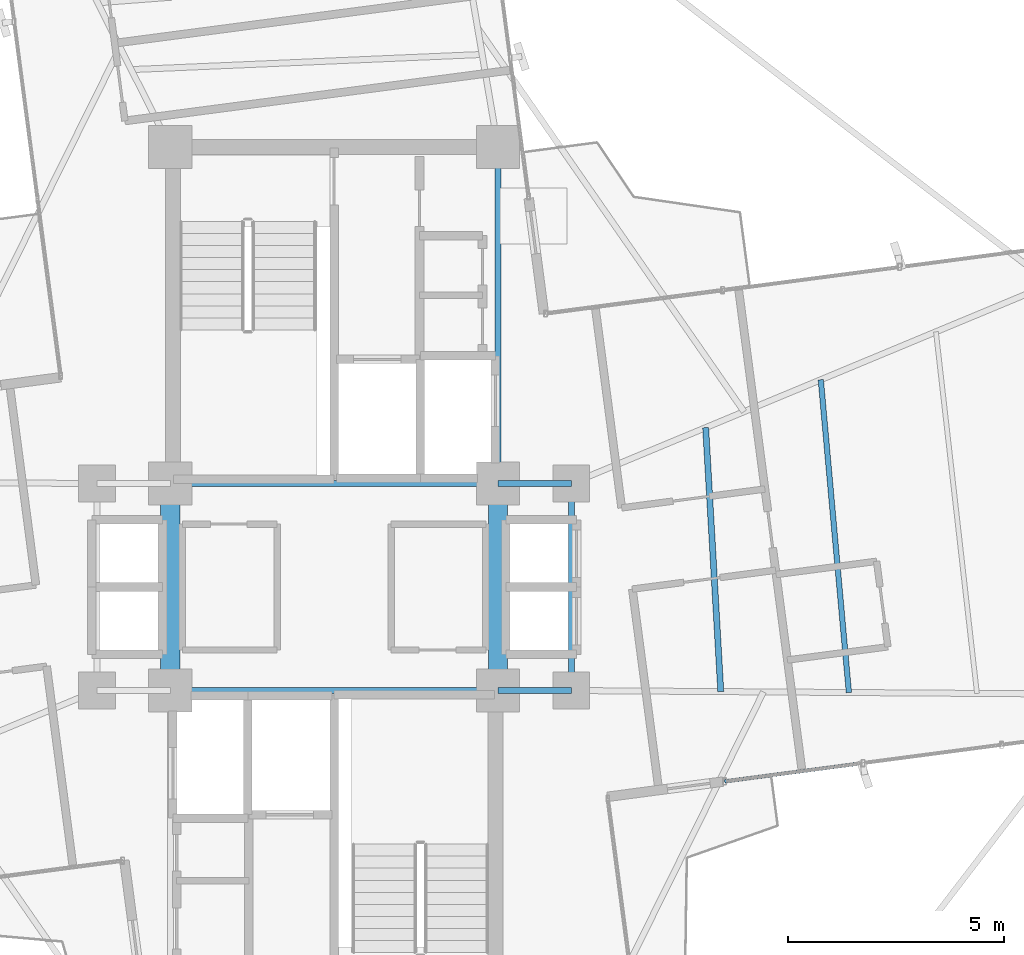
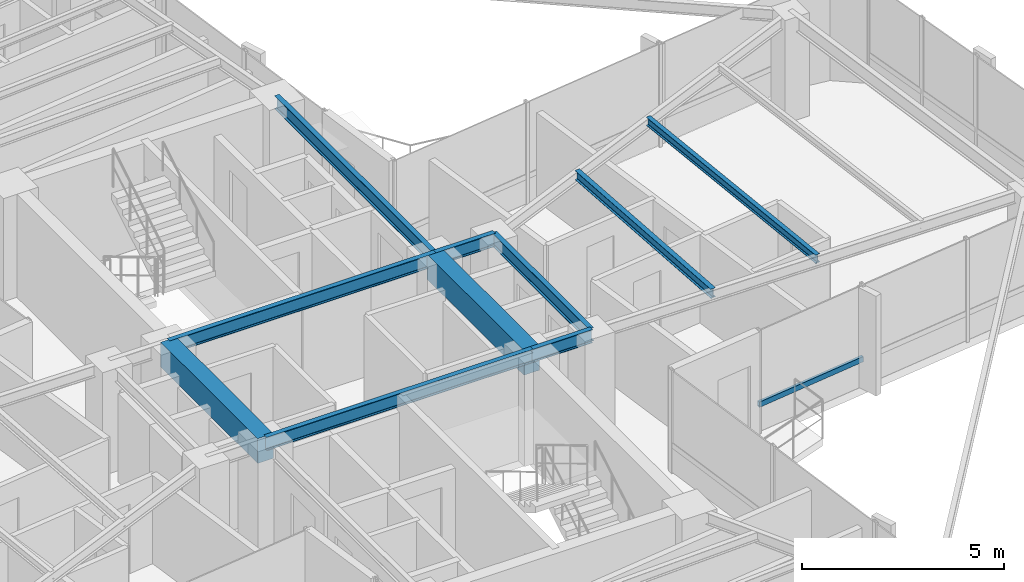
# One storey, part 9 of 21: 10 beams, 1 member, 1 element without a shape of its own.
"""IFC4 building model written with IfcOpenShell, lengths in metres."""

from ifc_helpers import new_model, si_unit, direction, frame, origin, origin_2d, place, context, subcontext, project, spatial, rectangle, hollow_rectangle, i_section, extrude, source, transform, mapped, material, material_profile, profile_set, type_object, element, aggregate, save


model = new_model("IFC4")

# Units and contexts
model_context = context("Model", 3, precision=1e-05, world=origin(), true_north=direction((0.0, 1.0)))
body_context = subcontext(model_context, "Body", "Model", "MODEL_VIEW")
ifc_project = project(units=[si_unit("LENGTHUNIT", "METRE"), si_unit("AREAUNIT", "SQUARE_METRE"), si_unit("VOLUMEUNIT", "CUBIC_METRE"), si_unit("PLANEANGLEUNIT", "RADIAN"), si_unit("MASSUNIT", "GRAM", prefix="KILO")], contexts=[model_context])

# Site, building, storey
site_placement = place(None, origin())
site = spatial("IfcSite", under=ifc_project, at=site_placement, CompositionType="ELEMENT")
building_placement = place(site_placement, origin())
building = spatial("IfcBuilding", under=site, at=building_placement, Name="Sahyath Konkavel Grand Hotel", CompositionType="ELEMENT")
storey_placement = place(building_placement, frame((0.0, 0.0, 209.85009765625)))
storey = spatial("IfcBuildingStorey", under=building, at=storey_placement, Name="L58", CompositionType="ELEMENT", Elevation=209.85009765625)

# Beams
ifc_material_1 = material(Name="Steel E350", Category="steel")
ifc_material_profile_1 = material_profile(ifc_material_1, i_section(OverallWidth=0.139892578125, OverallDepth=0.39990234375, WebThickness=0.0087890625, FlangeThickness=0.01611328125, FilletRadius=0.013916015625, at=origin_2d()), Name="ISMB 400")
ifc_profile_set_1 = profile_set([ifc_material_profile_1], Name="Steel E350")
beam_type_1 = type_object("IfcBeamType", Name="BM-ISMB400", PredefinedType="BEAM", material=ifc_profile_set_1)
shared_shape_1 = source(origin(), body_context, "Body", "SweptSolid", [
    extrude(i_section(OverallWidth=0.139892578125, OverallDepth=0.39990234375, WebThickness=0.0087890625, FlangeThickness=0.01611328125, FilletRadius=0.013916015625, at=origin_2d()), origin(), (0.0, 0.0, 1.0), 7.60009765625),
])
for number, where, z_axis, x_axis, name in (
    (1, (-3.800048828125, 2.39990234375, 2.909912109375), (1.0, 0.0, 0.0), (0.0, 1.0, 0.0), "str:bm:L58:NC-S"),
    (2, (-3.800048828125, -2.39990234375, 2.909912109375), (1.0, 0.0, 0.0), (0.0, 1.0, 0.0), "str:bm:L58:SC-N"),
):
    element("IfcBeam", number, at=place(storey_placement, frame(where, z_axis=z_axis, x_axis=x_axis)), inside=storey, type_object=beam_type_1, Name=name, PredefinedType="BEAM", context=body_context, shape_type="MappedRepresentation", body=[
        mapped(shared_shape_1, transform((0.0, 0.0, 0.0), scale=1.0)),
    ])
shared_shape_2 = source(origin(), body_context, "Body", "SweptSolid", [
    extrude(i_section(OverallWidth=0.139892578125, OverallDepth=0.39990234375, WebThickness=0.0087890625, FlangeThickness=0.01611328125, FilletRadius=0.013916015625, at=origin_2d()), origin(), (0.0, 0.0, 1.0), 7.800048828125),
])
beam_1_placement = place(storey_placement, frame((3.800048828125, 2.39990234375, 2.909912109375), z_axis=(0.0, 1.0, 0.0), x_axis=(-1.0, 0.0, 0.0)))
element("IfcBeam", 3, at=beam_1_placement, inside=storey, type_object=beam_type_1, Name="str:bm:L58:NC-E", PredefinedType="BEAM", context=body_context, shape_type="MappedRepresentation", body=[
    mapped(shared_shape_2, transform((0.0, 0.0, 0.0), scale=1.0)),
])
shared_shape_3 = source(origin(), body_context, "Body", "SweptSolid", [
    extrude(i_section(OverallWidth=0.139892578125, OverallDepth=0.39990234375, WebThickness=0.0087890625, FlangeThickness=0.01611328125, FilletRadius=0.013916015625, at=origin_2d()), origin(), (0.0, 0.0, 1.0), 1.699951171875),
])
for number, where, z_axis, x_axis, name in (
    (4, (3.800048828125, 2.39990234375, 2.909912109375), (1.0, 0.0, 0.0), (0.0, 1.0, 0.0), "str:bm:L58:HB-NE"),
    (5, (3.800048828125, -2.39990234375, 2.909912109375), (1.0, 0.0, 0.0), (0.0, 1.0, 0.0), "str:bm:L58:HB-SE"),
):
    element("IfcBeam", number, at=place(storey_placement, frame(where, z_axis=z_axis, x_axis=x_axis)), inside=storey, type_object=beam_type_1, Name=name, PredefinedType="BEAM", context=body_context, shape_type="MappedRepresentation", body=[
        mapped(shared_shape_3, transform((0.0, 0.0, 0.0), scale=1.0)),
    ])
shared_shape_4 = source(origin(), body_context, "Body", "SweptSolid", [
    extrude(i_section(OverallWidth=0.139892578125, OverallDepth=0.39990234375, WebThickness=0.0087890625, FlangeThickness=0.01611328125, FilletRadius=0.013916015625, at=origin_2d()), origin(), (0.0, 0.0, 1.0), 4.7998046875),
])
beam_2_placement = place(storey_placement, frame((5.5, -2.39990234375, 2.909912109375), z_axis=(0.0, 1.0, 0.0), x_axis=(-1.0, 0.0, 0.0)))
element("IfcBeam", 6, at=beam_2_placement, inside=storey, type_object=beam_type_1, Name="str:bm:L58:HB-E", PredefinedType="BEAM", context=body_context, shape_type="MappedRepresentation", body=[
    mapped(shared_shape_4, transform((0.0, 0.0, 0.0), scale=1.0)),
])
ifc_material_2 = material(Name="Concrete C40/50", Category="concrete")
ifc_material_profile_2 = material_profile(ifc_material_2, rectangle(XDim=0.449951171875, YDim=0.75, at=origin_2d()), Name="RC 450x750")
ifc_profile_set_2 = profile_set([ifc_material_profile_2], Name="Concrete C40/50")
beam_type_2 = type_object("IfcBeamType", Name="BM-CB450x750", PredefinedType="LINTEL", material=ifc_profile_set_2)
shared_shape_5 = source(origin(), body_context, "Body", "SweptSolid", [
    extrude(rectangle(XDim=0.449951171875, YDim=0.75, at=origin_2d()), origin(), (0.0, 0.0, 1.0), 4.7998046875),
])
for number, where, z_axis, x_axis, name in (
    (7, (-3.800048828125, -2.39990234375, 2.73486328125), (0.0, 1.0, 0.0), (-1.0, 0.0, 0.0), "L58 Split-Core Coupling Beam West"),
    (8, (3.800048828125, -2.39990234375, 2.73486328125), (0.0, 1.0, 0.0), (-1.0, 0.0, 0.0), "L58 Split-Core Coupling Beam East"),
):
    element("IfcBeam", number, at=place(storey_placement, frame(where, z_axis=z_axis, x_axis=x_axis)), inside=storey, type_object=beam_type_2, Name=name, PredefinedType="LINTEL", context=body_context, shape_type="MappedRepresentation", body=[
        mapped(shared_shape_5, transform((0.0, 0.0, 0.0), scale=1.0)),
    ])
ifc_material_profile_3 = material_profile(ifc_material_1, i_section(OverallWidth=0.139892578125, OverallDepth=0.27490234375, WebThickness=0.00634765625, FlangeThickness=0.0087890625, FilletRadius=0.012939453125, at=origin_2d()), Name="ISLB 275")
ifc_profile_set_3 = profile_set([ifc_material_profile_3], Name="Steel E350")
beam_type_3 = type_object("IfcBeamType", Name="BM-ISLB275", PredefinedType="BEAM", material=ifc_profile_set_3)
shared_shape_6 = source(origin(), body_context, "Body", "SweptSolid", [
    extrude(i_section(OverallWidth=0.139892578125, OverallDepth=0.27490234375, WebThickness=0.00634765625, FlangeThickness=0.0087890625, FilletRadius=0.012939453125, at=origin_2d()), origin(), (0.0, 0.0, 1.0), 6.130859375),
])
beam_3_placement = place(storey_placement, frame((8.9658203125, -2.424560546875, 2.972412109375), z_axis=(-0.057223299361, 0.998361404508, 0.0), x_axis=(-0.998361404508, -0.057223299361, 0.0)))
element("IfcBeam", 9, at=beam_3_placement, inside=storey, type_object=beam_type_3, Name="L58 Secondary Floor Beam E-1", PredefinedType="BEAM", context=body_context, shape_type="MappedRepresentation", body=[
    mapped(shared_shape_6, transform((0.0, 0.0, 0.0), scale=1.0)),
])
ifc_material_profile_4 = material_profile(ifc_material_1, i_section(OverallWidth=0.125, OverallDepth=0.25, WebThickness=0.0068359375, FlangeThickness=0.012451171875, FilletRadius=0.012939453125, at=origin_2d()), Name="ISMB 250")
ifc_profile_set_4 = profile_set([ifc_material_profile_4], Name="Steel E350")
beam_type_4 = type_object("IfcBeamType", Name="BM-ISMB250", PredefinedType="BEAM", material=ifc_profile_set_4)
shared_shape_7 = source(origin(), body_context, "Body", "SweptSolid", [
    extrude(i_section(OverallWidth=0.125, OverallDepth=0.25, WebThickness=0.0068359375, FlangeThickness=0.012451171875, FilletRadius=0.012939453125, at=origin_2d()), origin(), (0.0, 0.0, 1.0), 7.28271484375),
])
beam_4_placement = place(storey_placement, frame((11.936279296875, -2.44580078125, 2.98486328125), z_axis=(-0.08944149657, 0.995992077625, 0.0), x_axis=(-0.995992077625, -0.08944149657, 0.0)))
element("IfcBeam", 10, at=beam_4_placement, inside=storey, type_object=beam_type_4, Name="L58 Secondary Floor Beam E-2", PredefinedType="BEAM", context=body_context, shape_type="MappedRepresentation", body=[
    mapped(shared_shape_7, transform((0.0, 0.0, 0.0), scale=1.0)),
])

# Curtain wall, member
ifc_material_3 = material(Name="Anodised Bronze Aluminium & Low-E Glazing", Category="aluminium")
curtain_wall_type = type_object("IfcCurtainWallType", Name="CW-ZONE4", PredefinedType="NOTDEFINED", material=ifc_material_3)
curtain_wall_placement = place(storey_placement, origin())
curtain_wall = element("IfcCurtainWall", 11, at=curtain_wall_placement, inside=storey, type_object=curtain_wall_type, Name="L58 Unitised Curtain Wall F0", PredefinedType="NOTDEFINED")
ifc_material_4 = material(Name="Anodised Bronze Aluminium", Category="aluminium")
ifc_material_profile_5 = material_profile(ifc_material_4, hollow_rectangle(XDim=0.080078125, YDim=0.159912109375, WallThickness=0.006103515625, at=origin_2d()), Name="RHS 160x80x6")
ifc_profile_set_5 = profile_set([ifc_material_profile_5], Name="Anodised Bronze Aluminium")
member_type = type_object("IfcMemberType", Name="CW-TRN-160", PredefinedType="USERDEFINED", material=ifc_profile_set_5)
shared_shape_8 = source(origin(), body_context, "Body", "SweptSolid", [
    extrude(hollow_rectangle(XDim=0.080078125, YDim=0.159912109375, WallThickness=0.006103515625, at=origin_2d()), origin(), (0.0, 0.0, 1.0), 3.240234375),
])
member_placement = place(storey_placement, frame((9.0556640625, -4.506591796875, 0.849853515625), z_axis=(0.991447626157, 0.130505189885, 0.0), x_axis=(-0.130505189885, 0.991447626157, 0.0)))
member = element("IfcMember", 12, at=member_placement, type_object=member_type, Name="L58 Curtain Wall Transom F0-0-spandrel", ObjectType="TRANSOM", PredefinedType="USERDEFINED", context=body_context, shape_type="MappedRepresentation", body=[
    mapped(shared_shape_8, transform((0.0, 0.0, 0.0), scale=1.0)),
])
aggregate(curtain_wall, [member])

save(model, "model.ifc")
